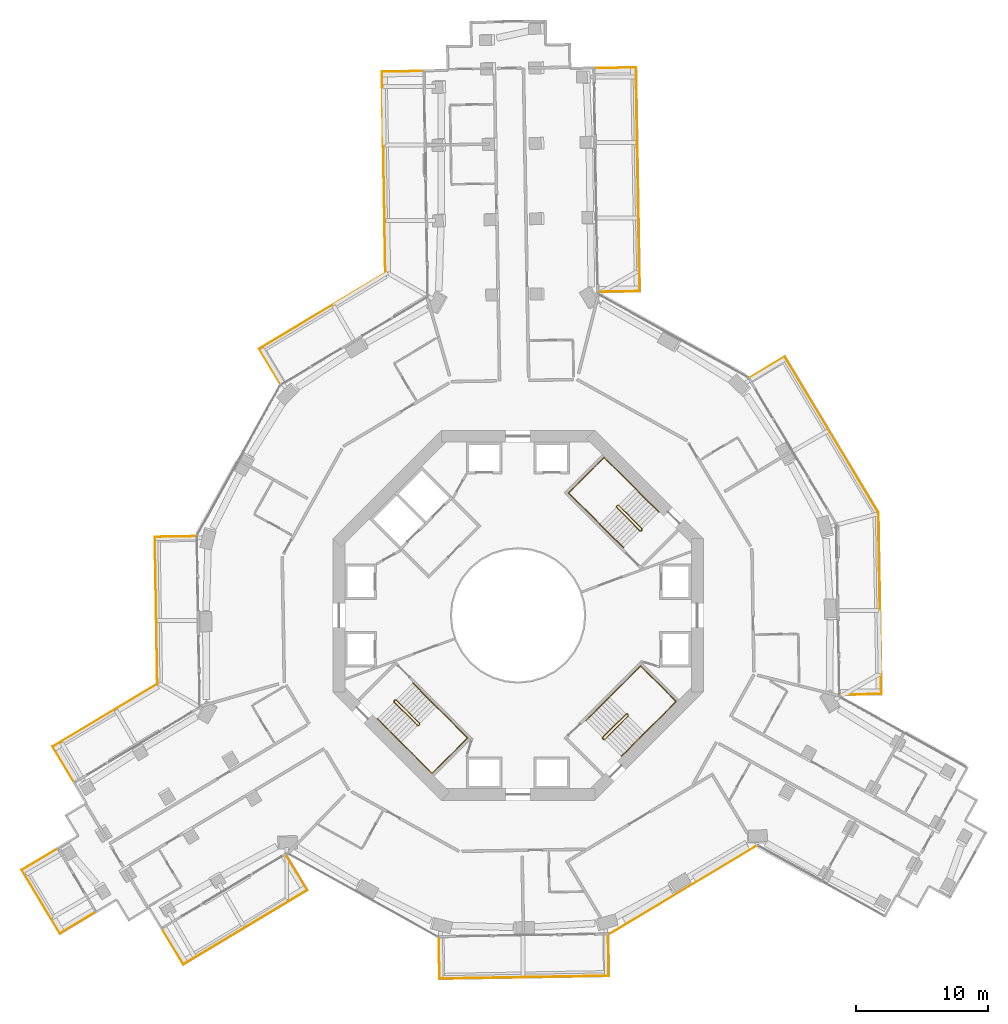
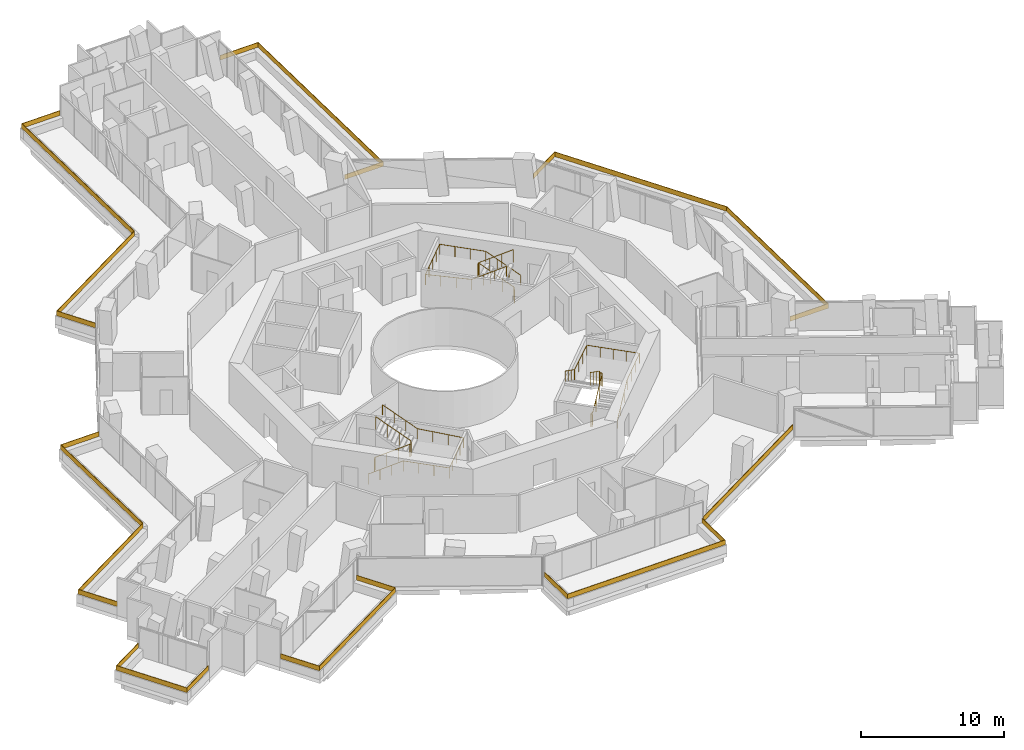
# One storey, part 25 of 25: 14 railings.
"""IFC4 building model written with IfcOpenShell, lengths in metres."""

from ifc_helpers import new_model, si_unit, direction, frame, origin, origin_2d, place, context, subcontext, project, spatial, polyline, rectangle, circle, outline, extrude, material, layer, layer_set, type_object, element, save


model = new_model("IFC4")

# Units and contexts
model_context = context("Model", 3, precision=1e-05, world=origin(), true_north=direction((0.0, 1.0)))
body_context = subcontext(model_context, "Body", "Model", "MODEL_VIEW")
ifc_project = project(units=[si_unit("LENGTHUNIT", "METRE"), si_unit("AREAUNIT", "SQUARE_METRE"), si_unit("VOLUMEUNIT", "CUBIC_METRE"), si_unit("PLANEANGLEUNIT", "RADIAN"), si_unit("MASSUNIT", "GRAM", prefix="KILO")], contexts=[model_context])

# Site, building, storey
site_placement = place(None, origin())
site = spatial("IfcSite", under=ifc_project, at=site_placement, CompositionType="ELEMENT")
building_placement = place(site_placement, origin())
building = spatial("IfcBuilding", under=site, at=building_placement, Name="Verdalira Terraces Hotel", CompositionType="ELEMENT")
storey_placement = place(building_placement, frame((0.0, 0.0, 39.0)))
storey = spatial("IfcBuildingStorey", under=building, at=storey_placement, Name="L07", CompositionType="ELEMENT", Elevation=39.0)

# Railings
ifc_material_1 = material(Name="Laminated glass", Category="glass")
ifc_layer = layer(ifc_material_1, 0.0400390625)
ifc_layer_set = layer_set([ifc_layer], Name="Balcony glass guard 400")
railing_type_1 = type_object("IfcRailingType", Name="Balcony glass guard 400", PredefinedType="GUARDRAIL", material=ifc_layer_set)
railing_1_placement = place(storey_placement, frame((0.0, 0.0, 0.699951)))
element("IfcRailing", 1, at=railing_1_placement, inside=storey, type_object=railing_type_1, Name="Balcony glass guard", PredefinedType="GUARDRAIL", context=body_context, shape_type="SweptSolid", body=[
    extrude(outline(polyline([(-10.269775, 41.088867), (-10.014893, 25.872314), (-19.534912, 20.161133), (-17.950928, 17.520996), (-17.985352, 17.500244), (-19.589844, 20.175049), (-10.055176, 25.894775), (-10.310547, 41.128174), (-7.191895, 41.180664), (-7.191406, 41.140625), (-10.269775, 41.088867)])), origin(), (0.0, 0.0, 1.0), 0.400146),
])
railing_2_placement = place(storey_placement, frame((0.0, 0.0, 0.699951)))
element("IfcRailing", 2, at=railing_2_placement, inside=storey, type_object=railing_type_1, Name="Balcony glass guard", PredefinedType="GUARDRAIL", context=body_context, shape_type="SweptSolid", body=[
    extrude(outline(polyline([(-27.441406, 5.921143), (-27.255371, -5.179199), (-35.160645, -9.921631), (-33.57666, -12.562012), (-33.611084, -12.58252), (-35.215576, -9.907959), (-27.295654, -5.156738), (-27.481934, 5.960449), (-24.363525, 6.012695), (-24.362793, 5.972656), (-27.441406, 5.921143)])), origin(), (0.0, 0.0, 1.0), 0.400146),
])
railing_3_placement = place(storey_placement, frame((0.0, 0.0, 0.699951)))
element("IfcRailing", 3, at=railing_3_placement, inside=storey, type_object=railing_type_1, Name="Balcony glass guard", PredefinedType="GUARDRAIL", context=body_context, shape_type="SweptSolid", body=[
    extrude(outline(polyline([(-37.493652, -19.250977), (-34.633301, -24.018799), (-31.993164, -22.434814), (-31.972412, -22.469238), (-34.646973, -24.07373), (-37.548584, -19.237305), (-34.874023, -17.632812), (-34.853271, -17.666992), (-37.493652, -19.250977)])), origin(), (0.0, 0.0, 1.0), 0.400146),
])
railing_4_placement = place(storey_placement, frame((0.0, 0.0, 0.699951)))
element("IfcRailing", 4, at=railing_4_placement, inside=storey, type_object=railing_type_1, Name="Balcony glass guard", PredefinedType="GUARDRAIL", context=body_context, shape_type="SweptSolid", body=[
    extrude(outline(polyline([(-25.303955, -26.351807), (-15.976807, -20.756348), (-17.560791, -18.115967), (-17.526367, -18.095459), (-15.921875, -20.77002), (-25.317627, -26.406738), (-26.922363, -23.732178), (-26.887939, -23.711426), (-25.303955, -26.351807)])), origin(), (0.0, 0.0, 1.0), 0.400146),
])
railing_5_placement = place(storey_placement, frame((0.0, 0.0, 0.699951)))
element("IfcRailing", 5, at=railing_5_placement, inside=storey, type_object=railing_type_1, Name="Balcony glass guard", PredefinedType="GUARDRAIL", context=body_context, shape_type="SweptSolid", body=[
    extrude(outline(polyline([(-5.921143, -27.441406), (6.837158, -27.227539), (6.785645, -24.148926), (6.825439, -24.148438), (6.877686, -27.266846), (-5.960449, -27.481934), (-6.012695, -24.363525), (-5.972656, -24.362793), (-5.921143, -27.441406)])), origin(), (0.0, 0.0, 1.0), 0.400146),
])
railing_6_placement = place(storey_placement, frame((0.0, 0.0, 0.699951)))
element("IfcRailing", 6, at=railing_6_placement, inside=storey, type_object=railing_type_1, Name="Balcony glass guard", PredefinedType="GUARDRAIL", context=body_context, shape_type="SweptSolid", body=[
    extrude(outline(polyline([(27.441406, -5.921143), (27.21167, 7.782227), (20.161133, 19.534912), (17.520996, 17.950928), (17.500244, 17.985352), (20.175049, 19.589844), (27.251465, 7.793701), (27.481934, -5.960449), (24.363525, -6.012695), (24.362793, -5.972656), (27.441406, -5.921143)])), origin(), (0.0, 0.0, 1.0), 0.400146),
])
railing_7_placement = place(storey_placement, frame((0.0, 0.0, 0.699951)))
element("IfcRailing", 7, at=railing_7_placement, inside=storey, type_object=railing_type_1, Name="Balcony glass guard", PredefinedType="GUARDRAIL", context=body_context, shape_type="SweptSolid", body=[
    extrude(outline(polyline([(9.170166, 24.5354), (8.887451, 41.409912), (5.808838, 41.358398), (5.808105, 41.398438), (8.926758, 41.450684), (9.210938, 24.496094), (6.092285, 24.443848), (6.091553, 24.483887), (9.170166, 24.5354)])), origin(), (0.0, 0.0, 1.0), 0.400146),
])
railing_8_placement = place(storey_placement, frame((12.453613, -20.759277, 0.699951), z_axis=(0.0, 0.0, 1.0), x_axis=(0.857526656, 0.514439534, 0.0)))
element("IfcRailing", 8, at=railing_8_placement, inside=storey, type_object=railing_type_1, Name="Loggia glass guard", PredefinedType="GUARDRAIL", context=body_context, shape_type="SweptSolid", body=[
    extrude(rectangle(XDim=12.840088, YDim=0.040039, at=origin_2d()), origin(), (0.0, 0.0, 1.0), 0.399902),
])
ifc_material_2 = material(Name="Stainless steel", Category="steel")
railing_type_2 = type_object("IfcRailingType", Name="Stair guard 1100", PredefinedType="GUARDRAIL", material=ifc_material_2)
railing_9_placement = place(storey_placement, frame((9.369141, 6.469971, 0.0)))
element("IfcRailing", 9, at=railing_9_placement, inside=storey, type_object=railing_type_2, Name="L07 ST1 stair guard 1", PredefinedType="GUARDRAIL", context=body_context, shape_type="SweptSolid", body=[
    extrude(circle(Radius=0.023926, at=origin_2d()), frame((0.0, 0.0, 1.076172), z_axis=(-0.70832698, -0.705884473, 0.0), x_axis=(0.705884473, -0.70832698, 0.0)), (0.0, 0.0, 1.0), 0.099854),
    extrude(circle(Radius=0.023926, at=origin_2d()), frame((-0.070801, -0.070557, 1.076172), z_axis=(0.300162975, 0.599290904, 0.742127078), x_axis=(-0.894118129, 0.447831187, 0.0)), (0.0, 0.0, 1.0), 0.23584),
    extrude(circle(Radius=0.023926, at=origin_2d()), frame((0.0, 0.070801, 1.250977), z_axis=(-0.599637504, 0.599637504, 0.52997144), x_axis=(-0.707106781, -0.707106781, 0.0)), (0.0, 0.0, 1.0), 2.97168),
    extrude(circle(Radius=0.023926, at=origin_2d()), frame((-1.781982, 1.852783, 2.826172), z_axis=(-1.0, 0.0, 0.0), x_axis=(0.0, -1.0, 0.0)), (0.0, 0.0, 1.0), 0.070557),
    extrude(circle(Radius=0.023926, at=origin_2d()), frame((-1.852539, 1.852783, 2.826172), z_axis=(-0.707106781, -0.707106781, 0.0), x_axis=(0.707106781, -0.707106781, 0.0)), (0.0, 0.0, 1.0), 0.100098),
    extrude(circle(Radius=0.023926, at=origin_2d()), frame((-1.92334, 1.781982, 2.826172), z_axis=(0.0, -0.374954687, 0.92704314), x_axis=(1.0, 0.0, 0.0)), (0.0, 0.0, 1.0), 0.188721),
    extrude(circle(Radius=0.023926, at=origin_2d()), frame((-1.92334, 1.711182, 3.000977), z_axis=(0.599667044, -0.599584886, 0.529997548), x_axis=(0.707058338, 0.707155221, 0.0)), (0.0, 0.0, 1.0), 2.97168),
    extrude(circle(Radius=0.020996, at=origin_2d()), origin(), (0.0, 0.0, 1.0), 1.052002),
    extrude(circle(Radius=0.020996, at=origin_2d()), frame((-0.070801, -0.070557, 0.0)), (0.0, 0.0, 1.0), 1.052002),
    extrude(circle(Radius=0.020996, at=origin_2d()), frame((0.0, 0.070801, 0.175049)), (0.0, 0.0, 1.0), 1.052002),
    extrude(circle(Radius=0.020996, at=origin_2d()), frame((-0.593994, 0.664795, 0.699951)), (0.0, 0.0, 1.0), 1.052002),
    extrude(circle(Radius=0.020996, at=origin_2d()), frame((-1.187988, 1.258789, 1.225098)), (0.0, 0.0, 1.0), 1.052002),
    extrude(circle(Radius=0.020996, at=origin_2d()), frame((-1.781982, 1.852783, 1.75)), (0.0, 0.0, 1.0), 1.052002),
    extrude(circle(Radius=0.020996, at=origin_2d()), frame((-1.852539, 1.852783, 1.75)), (0.0, 0.0, 1.0), 1.052002),
    extrude(circle(Radius=0.020996, at=origin_2d()), frame((-1.92334, 1.781982, 1.75)), (0.0, 0.0, 1.0), 1.052002),
    extrude(circle(Radius=0.020996, at=origin_2d()), frame((-1.92334, 1.711182, 1.925049)), (0.0, 0.0, 1.0), 1.052002),
    extrude(circle(Radius=0.020996, at=origin_2d()), frame((-1.329346, 1.117188, 2.449951)), (0.0, 0.0, 1.0), 1.052002),
    extrude(circle(Radius=0.020996, at=origin_2d()), frame((-0.735352, 0.523438, 2.975098)), (0.0, 0.0, 1.0), 1.052002),
    extrude(circle(Radius=0.020996, at=origin_2d()), frame((-0.141357, -0.070557, 3.5)), (0.0, 0.0, 1.0), 1.052002),
])
railing_10_placement = place(storey_placement, frame((-9.369141, -6.469971, 0.0)))
element("IfcRailing", 10, at=railing_10_placement, inside=storey, type_object=railing_type_2, Name="L07 ST2 stair guard 1", PredefinedType="GUARDRAIL", context=body_context, shape_type="SweptSolid", body=[
    extrude(circle(Radius=0.023926, at=origin_2d()), frame((0.0, 0.0, 1.076172), z_axis=(0.70832698, 0.705884473, 0.0), x_axis=(-0.705884473, 0.70832698, 0.0)), (0.0, 0.0, 1.0), 0.099854),
    extrude(circle(Radius=0.023926, at=origin_2d()), frame((0.070801, 0.070557, 1.076172), z_axis=(-0.300162975, -0.599290904, 0.742127078), x_axis=(0.894118129, -0.447831187, 0.0)), (0.0, 0.0, 1.0), 0.23584),
    extrude(circle(Radius=0.023926, at=origin_2d()), frame((0.0, -0.070801, 1.250977), z_axis=(0.599637504, -0.599637504, 0.52997144), x_axis=(0.707106781, 0.707106781, 0.0)), (0.0, 0.0, 1.0), 2.97168),
    extrude(circle(Radius=0.023926, at=origin_2d()), frame((1.781982, -1.852783, 2.826172), z_axis=(1.0, 0.0, 0.0), x_axis=(0.0, 1.0, 0.0)), (0.0, 0.0, 1.0), 0.070557),
    extrude(circle(Radius=0.023926, at=origin_2d()), frame((1.852539, -1.852783, 2.826172), z_axis=(0.707106781, 0.707106781, 0.0), x_axis=(-0.707106781, 0.707106781, 0.0)), (0.0, 0.0, 1.0), 0.100098),
    extrude(circle(Radius=0.023926, at=origin_2d()), frame((1.92334, -1.781982, 2.826172), z_axis=(0.0, 0.374954687, 0.92704314), x_axis=(-1.0, 0.0, 0.0)), (0.0, 0.0, 1.0), 0.188721),
    extrude(circle(Radius=0.023926, at=origin_2d()), frame((1.92334, -1.711182, 3.000977), z_axis=(-0.599667044, 0.599584886, 0.529997548), x_axis=(-0.707058338, -0.707155221, 0.0)), (0.0, 0.0, 1.0), 2.97168),
    extrude(circle(Radius=0.020996, at=origin_2d()), origin(), (0.0, 0.0, 1.0), 1.052002),
    extrude(circle(Radius=0.020996, at=origin_2d()), frame((0.070801, 0.070557, 0.0)), (0.0, 0.0, 1.0), 1.052002),
    extrude(circle(Radius=0.020996, at=origin_2d()), frame((0.0, -0.070801, 0.175049)), (0.0, 0.0, 1.0), 1.052002),
    extrude(circle(Radius=0.020996, at=origin_2d()), frame((0.593994, -0.664795, 0.699951)), (0.0, 0.0, 1.0), 1.052002),
    extrude(circle(Radius=0.020996, at=origin_2d()), frame((1.187988, -1.258789, 1.225098)), (0.0, 0.0, 1.0), 1.052002),
    extrude(circle(Radius=0.020996, at=origin_2d()), frame((1.781982, -1.852783, 1.75)), (0.0, 0.0, 1.0), 1.052002),
    extrude(circle(Radius=0.020996, at=origin_2d()), frame((1.852539, -1.852783, 1.75)), (0.0, 0.0, 1.0), 1.052002),
    extrude(circle(Radius=0.020996, at=origin_2d()), frame((1.92334, -1.781982, 1.75)), (0.0, 0.0, 1.0), 1.052002),
    extrude(circle(Radius=0.020996, at=origin_2d()), frame((1.92334, -1.711182, 1.925049)), (0.0, 0.0, 1.0), 1.052002),
    extrude(circle(Radius=0.020996, at=origin_2d()), frame((1.329346, -1.117188, 2.449951)), (0.0, 0.0, 1.0), 1.052002),
    extrude(circle(Radius=0.020996, at=origin_2d()), frame((0.735352, -0.523438, 2.975098)), (0.0, 0.0, 1.0), 1.052002),
    extrude(circle(Radius=0.020996, at=origin_2d()), frame((0.141357, 0.070557, 3.5)), (0.0, 0.0, 1.0), 1.052002),
])
railing_11_placement = place(storey_placement, frame((6.469971, -9.369141, 0.0)))
element("IfcRailing", 11, at=railing_11_placement, inside=storey, type_object=railing_type_2, Name="L07 ST3 stair guard 1", PredefinedType="GUARDRAIL", context=body_context, shape_type="SweptSolid", body=[
    extrude(circle(Radius=0.023926, at=origin_2d()), frame((0.0, 0.0, 1.076172), z_axis=(-0.705884473, 0.70832698, 0.0), x_axis=(-0.70832698, -0.705884473, 0.0)), (0.0, 0.0, 1.0), 0.099854),
    extrude(circle(Radius=0.023926, at=origin_2d()), frame((-0.070557, 0.070801, 1.076172), z_axis=(0.599290904, -0.300162975, 0.742127078), x_axis=(0.447831187, 0.894118129, 0.0)), (0.0, 0.0, 1.0), 0.23584),
    extrude(circle(Radius=0.023926, at=origin_2d()), frame((0.070801, 0.0, 1.250977), z_axis=(0.599637504, 0.599637504, 0.52997144), x_axis=(-0.707106781, 0.707106781, 0.0)), (0.0, 0.0, 1.0), 2.97168),
    extrude(circle(Radius=0.023926, at=origin_2d()), frame((1.852783, 1.781982, 2.826172), z_axis=(0.0, 1.0, 0.0), x_axis=(-1.0, 0.0, 0.0)), (0.0, 0.0, 1.0), 0.070557),
    extrude(circle(Radius=0.023926, at=origin_2d()), frame((1.852783, 1.852539, 2.826172), z_axis=(-0.707106781, 0.707106781, 0.0), x_axis=(-0.707106781, -0.707106781, 0.0)), (0.0, 0.0, 1.0), 0.100098),
    extrude(circle(Radius=0.023926, at=origin_2d()), frame((1.781982, 1.92334, 2.826172), z_axis=(-0.374954687, 0.0, 0.92704314), x_axis=(0.0, -1.0, 0.0)), (0.0, 0.0, 1.0), 0.188721),
    extrude(circle(Radius=0.023926, at=origin_2d()), frame((1.711182, 1.92334, 3.000977), z_axis=(-0.599584886, -0.599667044, 0.529997548), x_axis=(0.707155221, -0.707058338, 0.0)), (0.0, 0.0, 1.0), 2.97168),
    extrude(circle(Radius=0.020996, at=origin_2d()), origin(), (0.0, 0.0, 1.0), 1.052002),
    extrude(circle(Radius=0.020996, at=origin_2d()), frame((-0.070557, 0.070801, 0.0)), (0.0, 0.0, 1.0), 1.052002),
    extrude(circle(Radius=0.020996, at=origin_2d()), frame((0.070801, 0.0, 0.175049)), (0.0, 0.0, 1.0), 1.052002),
    extrude(circle(Radius=0.020996, at=origin_2d()), frame((0.664795, 0.593994, 0.699951)), (0.0, 0.0, 1.0), 1.052002),
    extrude(circle(Radius=0.020996, at=origin_2d()), frame((1.258789, 1.187988, 1.225098)), (0.0, 0.0, 1.0), 1.052002),
    extrude(circle(Radius=0.020996, at=origin_2d()), frame((1.852783, 1.781982, 1.75)), (0.0, 0.0, 1.0), 1.052002),
    extrude(circle(Radius=0.020996, at=origin_2d()), frame((1.852783, 1.852539, 1.75)), (0.0, 0.0, 1.0), 1.052002),
    extrude(circle(Radius=0.020996, at=origin_2d()), frame((1.781982, 1.92334, 1.75)), (0.0, 0.0, 1.0), 1.052002),
    extrude(circle(Radius=0.020996, at=origin_2d()), frame((1.711182, 1.92334, 1.925049)), (0.0, 0.0, 1.0), 1.052002),
    extrude(circle(Radius=0.020996, at=origin_2d()), frame((1.117188, 1.329346, 2.449951)), (0.0, 0.0, 1.0), 1.052002),
    extrude(circle(Radius=0.020996, at=origin_2d()), frame((0.523438, 0.735352, 2.975098)), (0.0, 0.0, 1.0), 1.052002),
    extrude(circle(Radius=0.020996, at=origin_2d()), frame((-0.070557, 0.141357, 3.5)), (0.0, 0.0, 1.0), 1.052002),
])
ifc_material_3 = material(Name="Stainless steel", Category="steel")
railing_type_3 = type_object("IfcRailingType", Name="Stair handrail 900", PredefinedType="HANDRAIL", material=ifc_material_3)
railing_12_placement = place(storey_placement, frame((10.641846, 7.813477, 0.175049)))
element("IfcRailing", 12, at=railing_12_placement, inside=storey, type_object=railing_type_3, Name="L07 ST1 stair handrail 1", PredefinedType="HANDRAIL", context=body_context, shape_type="SweptSolid", body=[
    extrude(circle(Radius=0.023926, at=origin_2d()), frame((0.0, 0.0, 0.875977), z_axis=(-0.599584886, 0.599667044, 0.529997548), x_axis=(-0.707155221, -0.707058338, 0.0)), (0.0, 0.0, 1.0), 2.97168),
    extrude(circle(Radius=0.023926, at=origin_2d()), frame((-1.781738, 1.781982, 2.450684), z_axis=(-0.707106781, 0.707106781, 0.0), x_axis=(-0.707106781, -0.707106781, 0.0)), (0.0, 0.0, 1.0), 3.330078),
    extrude(circle(Radius=0.023926, at=origin_2d()), frame((-4.136475, 4.136719, 2.450684), z_axis=(-0.707106781, -0.707106781, 0.0), x_axis=(0.707106781, -0.707106781, 0.0)), (0.0, 0.0, 1.0), 3.800049),
    extrude(circle(Radius=0.023926, at=origin_2d()), frame((-6.823486, 1.449707, 2.450684), z_axis=(0.706131881, -0.706131881, 0.052493163), x_axis=(0.707106781, 0.707106781, 0.0)), (0.0, 0.0, 1.0), 3.334717),
    extrude(circle(Radius=0.023926, at=origin_2d()), frame((-4.46875, -0.905029, 2.625977), z_axis=(0.599584886, -0.599667044, 0.529997548), x_axis=(0.707155221, 0.707058338, 0.0)), (0.0, 0.0, 1.0), 2.97168),
    extrude(circle(Radius=0.020996, at=origin_2d()), origin(), (0.0, 0.0, 1.0), 0.851807),
    extrude(circle(Radius=0.020996, at=origin_2d()), frame((-0.593994, 0.593994, 0.524902)), (0.0, 0.0, 1.0), 0.851807),
    extrude(circle(Radius=0.020996, at=origin_2d()), frame((-1.187744, 1.187988, 1.050049)), (0.0, 0.0, 1.0), 0.851807),
    extrude(circle(Radius=0.020996, at=origin_2d()), frame((-1.781738, 1.781982, 1.574951)), (0.0, 0.0, 1.0), 0.851807),
    extrude(circle(Radius=0.020996, at=origin_2d()), frame((-2.56665, 2.566895, 1.574951)), (0.0, 0.0, 1.0), 0.851807),
    extrude(circle(Radius=0.020996, at=origin_2d()), frame((-3.351562, 3.351807, 1.574951)), (0.0, 0.0, 1.0), 0.851807),
    extrude(circle(Radius=0.020996, at=origin_2d()), frame((-4.136475, 4.136719, 1.574951)), (0.0, 0.0, 1.0), 0.851807),
    extrude(circle(Radius=0.020996, at=origin_2d()), frame((-4.808105, 3.464844, 1.574951)), (0.0, 0.0, 1.0), 0.851807),
    extrude(circle(Radius=0.020996, at=origin_2d()), frame((-5.47998, 2.793213, 1.574951)), (0.0, 0.0, 1.0), 0.851807),
    extrude(circle(Radius=0.020996, at=origin_2d()), frame((-6.151855, 2.121582, 1.574951)), (0.0, 0.0, 1.0), 0.851807),
    extrude(circle(Radius=0.020996, at=origin_2d()), frame((-6.823486, 1.449707, 1.574951)), (0.0, 0.0, 1.0), 0.851807),
    extrude(circle(Radius=0.020996, at=origin_2d()), frame((-6.038574, 0.664795, 1.633301)), (0.0, 0.0, 1.0), 0.851807),
    extrude(circle(Radius=0.020996, at=origin_2d()), frame((-5.253662, -0.120117, 1.69165)), (0.0, 0.0, 1.0), 0.851807),
    extrude(circle(Radius=0.020996, at=origin_2d()), frame((-4.46875, -0.905029, 1.75)), (0.0, 0.0, 1.0), 0.851807),
    extrude(circle(Radius=0.020996, at=origin_2d()), frame((-3.874756, -1.499023, 2.274902)), (0.0, 0.0, 1.0), 0.851807),
    extrude(circle(Radius=0.020996, at=origin_2d()), frame((-3.281006, -2.093018, 2.800049)), (0.0, 0.0, 1.0), 0.851807),
    extrude(circle(Radius=0.020996, at=origin_2d()), frame((-2.687012, -2.687012, 3.324951)), (0.0, 0.0, 1.0), 0.851807),
])
railing_13_placement = place(storey_placement, frame((-10.641846, -7.813477, 0.175049)))
element("IfcRailing", 13, at=railing_13_placement, inside=storey, type_object=railing_type_3, Name="L07 ST2 stair handrail 1", PredefinedType="HANDRAIL", context=body_context, shape_type="SweptSolid", body=[
    extrude(circle(Radius=0.023926, at=origin_2d()), frame((0.0, 0.0, 0.875977), z_axis=(0.599584886, -0.599667044, 0.529997548), x_axis=(0.707155221, 0.707058338, 0.0)), (0.0, 0.0, 1.0), 2.97168),
    extrude(circle(Radius=0.023926, at=origin_2d()), frame((1.781738, -1.781982, 2.450684), z_axis=(0.707106781, -0.707106781, 0.0), x_axis=(0.707106781, 0.707106781, 0.0)), (0.0, 0.0, 1.0), 3.330078),
    extrude(circle(Radius=0.023926, at=origin_2d()), frame((4.136475, -4.136719, 2.450684), z_axis=(0.707106781, 0.707106781, 0.0), x_axis=(-0.707106781, 0.707106781, 0.0)), (0.0, 0.0, 1.0), 3.800049),
    extrude(circle(Radius=0.023926, at=origin_2d()), frame((6.823486, -1.449707, 2.450684), z_axis=(-0.706131881, 0.706131881, 0.052493163), x_axis=(-0.707106781, -0.707106781, 0.0)), (0.0, 0.0, 1.0), 3.334717),
    extrude(circle(Radius=0.023926, at=origin_2d()), frame((4.46875, 0.905029, 2.625977), z_axis=(-0.599584886, 0.599667044, 0.529997548), x_axis=(-0.707155221, -0.707058338, 0.0)), (0.0, 0.0, 1.0), 2.97168),
    extrude(circle(Radius=0.020996, at=origin_2d()), origin(), (0.0, 0.0, 1.0), 0.851807),
    extrude(circle(Radius=0.020996, at=origin_2d()), frame((0.593994, -0.593994, 0.524902)), (0.0, 0.0, 1.0), 0.851807),
    extrude(circle(Radius=0.020996, at=origin_2d()), frame((1.187744, -1.187988, 1.050049)), (0.0, 0.0, 1.0), 0.851807),
    extrude(circle(Radius=0.020996, at=origin_2d()), frame((1.781738, -1.781982, 1.574951)), (0.0, 0.0, 1.0), 0.851807),
    extrude(circle(Radius=0.020996, at=origin_2d()), frame((2.56665, -2.566895, 1.574951)), (0.0, 0.0, 1.0), 0.851807),
    extrude(circle(Radius=0.020996, at=origin_2d()), frame((3.351562, -3.351807, 1.574951)), (0.0, 0.0, 1.0), 0.851807),
    extrude(circle(Radius=0.020996, at=origin_2d()), frame((4.136475, -4.136719, 1.574951)), (0.0, 0.0, 1.0), 0.851807),
    extrude(circle(Radius=0.020996, at=origin_2d()), frame((4.808105, -3.464844, 1.574951)), (0.0, 0.0, 1.0), 0.851807),
    extrude(circle(Radius=0.020996, at=origin_2d()), frame((5.47998, -2.793213, 1.574951)), (0.0, 0.0, 1.0), 0.851807),
    extrude(circle(Radius=0.020996, at=origin_2d()), frame((6.151855, -2.121582, 1.574951)), (0.0, 0.0, 1.0), 0.851807),
    extrude(circle(Radius=0.020996, at=origin_2d()), frame((6.823486, -1.449707, 1.574951)), (0.0, 0.0, 1.0), 0.851807),
    extrude(circle(Radius=0.020996, at=origin_2d()), frame((6.038574, -0.664795, 1.633301)), (0.0, 0.0, 1.0), 0.851807),
    extrude(circle(Radius=0.020996, at=origin_2d()), frame((5.253662, 0.120117, 1.69165)), (0.0, 0.0, 1.0), 0.851807),
    extrude(circle(Radius=0.020996, at=origin_2d()), frame((4.46875, 0.905029, 1.75)), (0.0, 0.0, 1.0), 0.851807),
    extrude(circle(Radius=0.020996, at=origin_2d()), frame((3.874756, 1.499023, 2.274902)), (0.0, 0.0, 1.0), 0.851807),
    extrude(circle(Radius=0.020996, at=origin_2d()), frame((3.281006, 2.093018, 2.800049)), (0.0, 0.0, 1.0), 0.851807),
    extrude(circle(Radius=0.020996, at=origin_2d()), frame((2.687012, 2.687012, 3.324951)), (0.0, 0.0, 1.0), 0.851807),
])
railing_14_placement = place(storey_placement, frame((7.813477, -10.641846, 0.175049)))
element("IfcRailing", 14, at=railing_14_placement, inside=storey, type_object=railing_type_3, Name="L07 ST3 stair handrail 1", PredefinedType="HANDRAIL", context=body_context, shape_type="SweptSolid", body=[
    extrude(circle(Radius=0.023926, at=origin_2d()), frame((0.0, 0.0, 0.875977), z_axis=(0.599667044, 0.599584886, 0.529997548), x_axis=(-0.707058338, 0.707155221, 0.0)), (0.0, 0.0, 1.0), 2.97168),
    extrude(circle(Radius=0.023926, at=origin_2d()), frame((1.781982, 1.781738, 2.450684), z_axis=(0.707106781, 0.707106781, 0.0), x_axis=(-0.707106781, 0.707106781, 0.0)), (0.0, 0.0, 1.0), 3.330078),
    extrude(circle(Radius=0.023926, at=origin_2d()), frame((4.136719, 4.136475, 2.450684), z_axis=(-0.707106781, 0.707106781, 0.0), x_axis=(-0.707106781, -0.707106781, 0.0)), (0.0, 0.0, 1.0), 3.800049),
    extrude(circle(Radius=0.023926, at=origin_2d()), frame((1.449707, 6.823486, 2.450684), z_axis=(-0.706131881, -0.706131881, 0.052493163), x_axis=(0.707106781, -0.707106781, 0.0)), (0.0, 0.0, 1.0), 3.334717),
    extrude(circle(Radius=0.023926, at=origin_2d()), frame((-0.905029, 4.46875, 2.625977), z_axis=(-0.599667044, -0.599584886, 0.529997548), x_axis=(0.707058338, -0.707155221, 0.0)), (0.0, 0.0, 1.0), 2.97168),
    extrude(circle(Radius=0.020996, at=origin_2d()), origin(), (0.0, 0.0, 1.0), 0.851807),
    extrude(circle(Radius=0.020996, at=origin_2d()), frame((0.593994, 0.593994, 0.524902)), (0.0, 0.0, 1.0), 0.851807),
    extrude(circle(Radius=0.020996, at=origin_2d()), frame((1.187988, 1.187744, 1.050049)), (0.0, 0.0, 1.0), 0.851807),
    extrude(circle(Radius=0.020996, at=origin_2d()), frame((1.781982, 1.781738, 1.574951)), (0.0, 0.0, 1.0), 0.851807),
    extrude(circle(Radius=0.020996, at=origin_2d()), frame((2.566895, 2.56665, 1.574951)), (0.0, 0.0, 1.0), 0.851807),
    extrude(circle(Radius=0.020996, at=origin_2d()), frame((3.351807, 3.351562, 1.574951)), (0.0, 0.0, 1.0), 0.851807),
    extrude(circle(Radius=0.020996, at=origin_2d()), frame((4.136719, 4.136475, 1.574951)), (0.0, 0.0, 1.0), 0.851807),
    extrude(circle(Radius=0.020996, at=origin_2d()), frame((3.464844, 4.808105, 1.574951)), (0.0, 0.0, 1.0), 0.851807),
    extrude(circle(Radius=0.020996, at=origin_2d()), frame((2.793213, 5.47998, 1.574951)), (0.0, 0.0, 1.0), 0.851807),
    extrude(circle(Radius=0.020996, at=origin_2d()), frame((2.121582, 6.151855, 1.574951)), (0.0, 0.0, 1.0), 0.851807),
    extrude(circle(Radius=0.020996, at=origin_2d()), frame((1.449707, 6.823486, 1.574951)), (0.0, 0.0, 1.0), 0.851807),
    extrude(circle(Radius=0.020996, at=origin_2d()), frame((0.664795, 6.038574, 1.633301)), (0.0, 0.0, 1.0), 0.851807),
    extrude(circle(Radius=0.020996, at=origin_2d()), frame((-0.120117, 5.253662, 1.69165)), (0.0, 0.0, 1.0), 0.851807),
    extrude(circle(Radius=0.020996, at=origin_2d()), frame((-0.905029, 4.46875, 1.75)), (0.0, 0.0, 1.0), 0.851807),
    extrude(circle(Radius=0.020996, at=origin_2d()), frame((-1.499023, 3.874756, 2.274902)), (0.0, 0.0, 1.0), 0.851807),
    extrude(circle(Radius=0.020996, at=origin_2d()), frame((-2.093018, 3.281006, 2.800049)), (0.0, 0.0, 1.0), 0.851807),
    extrude(circle(Radius=0.020996, at=origin_2d()), frame((-2.687012, 2.687012, 3.324951)), (0.0, 0.0, 1.0), 0.851807),
])

save(model, "model.ifc")
